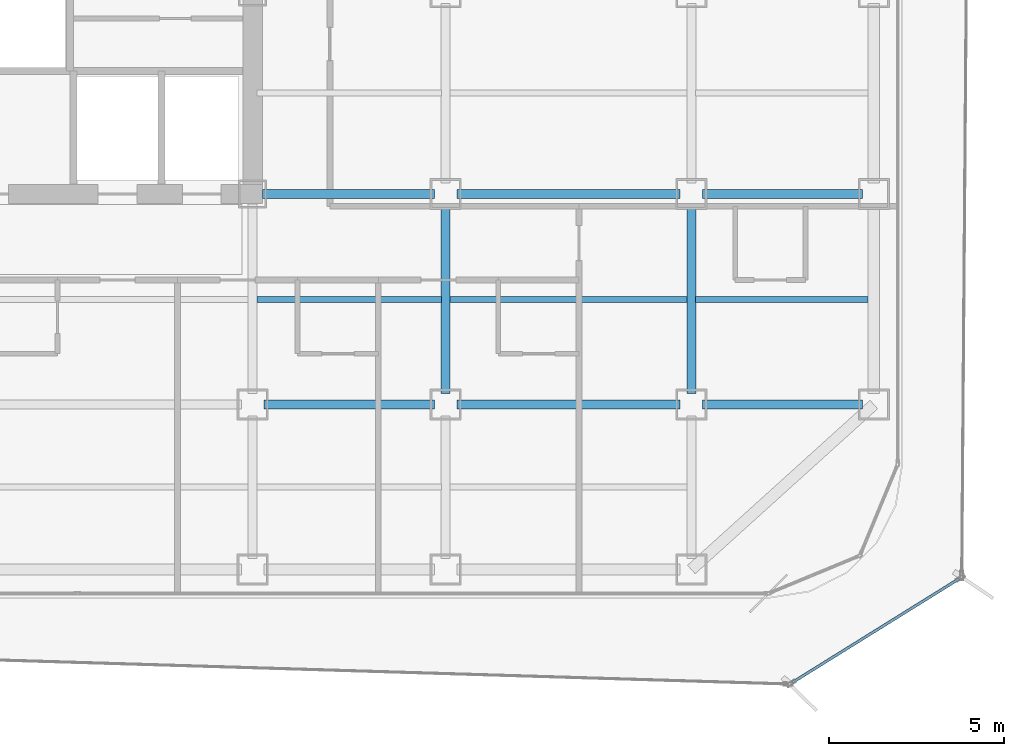
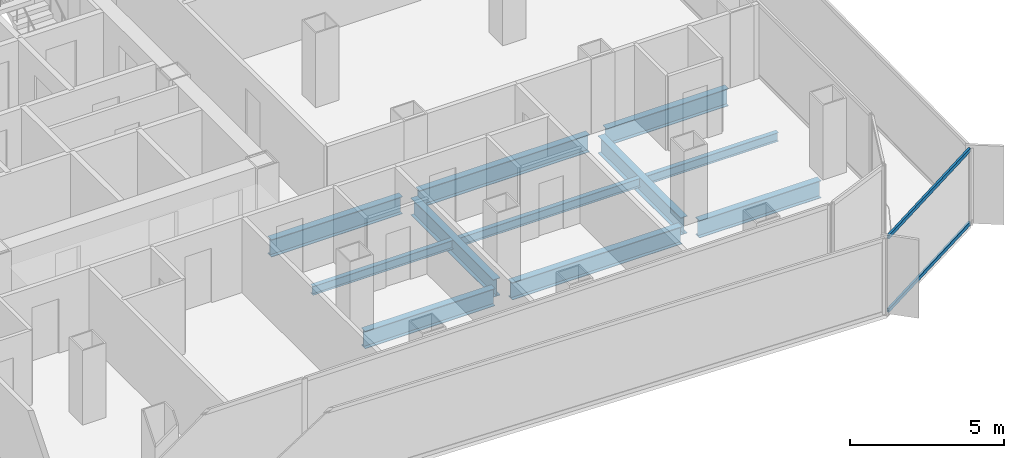
# One storey, part 7 of 21: 11 beams, 2 members, 1 element without a shape of its own.
"""IFC4 building model written with IfcOpenShell, lengths in metres."""

from ifc_helpers import new_model, si_unit, direction, frame, origin, origin_2d, place, context, subcontext, project, spatial, hollow_rectangle, i_section, extrude, source, transform, mapped, material, layer, layer_set, material_profile, profile_set, type_object, element, aggregate, save


model = new_model("IFC4")

# Units and contexts
model_context = context("Model", 3, precision=1e-05, world=origin(), true_north=direction((0.0, 1.0)))
body_context = subcontext(model_context, "Body", "Model", "MODEL_VIEW")
ifc_project = project(units=[si_unit("LENGTHUNIT", "METRE"), si_unit("AREAUNIT", "SQUARE_METRE"), si_unit("VOLUMEUNIT", "CUBIC_METRE"), si_unit("PLANEANGLEUNIT", "RADIAN"), si_unit("MASSUNIT", "GRAM", prefix="KILO")], contexts=[model_context])

# Site, building, storey
site_placement = place(None, origin())
site = spatial("IfcSite", under=ifc_project, at=site_placement, CompositionType="ELEMENT")
building_placement = place(site_placement, origin())
building = spatial("IfcBuilding", under=site, at=building_placement, Name="Kolveth Station Tower", CompositionType="ELEMENT")
storey_placement = place(building_placement, frame((0.0, 0.0, 99.10009765625)))
storey = spatial("IfcBuildingStorey", under=building, at=storey_placement, Name="L26", CompositionType="ELEMENT", Elevation=99.10009765625)

# Beams
ifc_material_1 = material(Name="Steel S355", Category="steel")
ifc_material_profile_1 = material_profile(ifc_material_1, i_section(OverallWidth=0.25390625, OverallDepth=0.68798828125, WebThickness=0.01318359375, FlangeThickness=0.02099609375, at=origin_2d()), Name="W690x152")
ifc_profile_set_1 = profile_set([ifc_material_profile_1], Name="Steel S355")
beam_type_1 = type_object("IfcBeamType", Name="Beam_B4", PredefinedType="BEAM", material=ifc_profile_set_1)
shared_shape_1 = source(origin(), body_context, "Body", "SweptSolid", [
    extrude(i_section(OverallWidth=0.25390625, OverallDepth=0.68798828125, WebThickness=0.01318359375, FlangeThickness=0.02099609375, at=origin_2d()), origin(), (0.0, 0.0, 1.0), 4.559814453125),
])
for number, where, z_axis, x_axis, name in (
    (1, (41.320068359375, 5.5, -0.593994140625), (1.0, 0.0, 0.0), (0.0, 1.0, 0.0), "L26 Primary Girder BM-L26-GY55-7"),
    (2, (41.320068359375, 11.5, -0.593994140625), (1.0, 0.0, 0.0), (0.0, 1.0, 0.0), "L26 Primary Girder BM-L26-GY115-7"),
):
    element("IfcBeam", number, at=place(storey_placement, frame(where, z_axis=z_axis, x_axis=x_axis)), inside=storey, type_object=beam_type_1, Name=name, PredefinedType="BEAM", context=body_context, shape_type="MappedRepresentation", body=[
        mapped(shared_shape_1, transform((0.0, 0.0, 0.0), x_axis=(1.0, 0.0, 0.0), y_axis=(0.0, 1.0, 0.0), z_axis=(0.0, 0.0, 1.0), scale=1.0)),
    ])
shared_shape_2 = source(origin(), body_context, "Body", "SweptSolid", [
    extrude(i_section(OverallWidth=0.25390625, OverallDepth=0.68798828125, WebThickness=0.01318359375, FlangeThickness=0.02099609375, at=origin_2d()), origin(), (0.0, 0.0, 1.0), 6.35986328125),
])
for number, where, z_axis, x_axis, name in (
    (3, (34.320068359375, 5.5, -0.593994140625), (1.0, 0.0, 0.0), (0.0, 1.0, 0.0), "L26 Primary Girder BM-L26-GY55-6"),
    (4, (34.320068359375, 11.5, -0.593994140625), (1.0, 0.0, 0.0), (0.0, 1.0, 0.0), "L26 Primary Girder BM-L26-GY115-6"),
):
    element("IfcBeam", number, at=place(storey_placement, frame(where, z_axis=z_axis, x_axis=x_axis)), inside=storey, type_object=beam_type_1, Name=name, PredefinedType="BEAM", context=body_context, shape_type="MappedRepresentation", body=[
        mapped(shared_shape_2, transform((0.0, 0.0, 0.0), x_axis=(1.0, 0.0, 0.0), y_axis=(0.0, 1.0, 0.0), z_axis=(0.0, 0.0, 1.0), scale=1.0)),
    ])
shared_shape_3 = source(origin(), body_context, "Body", "SweptSolid", [
    extrude(i_section(OverallWidth=0.25390625, OverallDepth=0.68798828125, WebThickness=0.01318359375, FlangeThickness=0.02099609375, at=origin_2d()), origin(), (0.0, 0.0, 1.0), 4.85986328125),
])
beam_1_placement = place(storey_placement, frame((28.820068359375, 5.5, -0.593994140625), z_axis=(1.0, 0.0, 0.0), x_axis=(0.0, 1.0, 0.0)))
element("IfcBeam", 5, at=beam_1_placement, inside=storey, type_object=beam_type_1, Name="L26 Primary Girder BM-L26-GY55-5", PredefinedType="BEAM", context=body_context, shape_type="MappedRepresentation", body=[
    mapped(shared_shape_3, transform((0.0, 0.0, 0.0), x_axis=(1.0, 0.0, 0.0), y_axis=(0.0, 1.0, 0.0), z_axis=(0.0, 0.0, 1.0), scale=1.0)),
])
shared_shape_4 = source(origin(), body_context, "Body", "SweptSolid", [
    extrude(i_section(OverallWidth=0.25390625, OverallDepth=0.68798828125, WebThickness=0.01318359375, FlangeThickness=0.02099609375, at=origin_2d()), origin(), (0.0, 0.0, 1.0), 4.89990234375),
])
beam_2_placement = place(storey_placement, frame((28.780029296875, 11.5, -0.593994140625), z_axis=(1.0, 0.0, 0.0), x_axis=(0.0, 1.0, 0.0)))
element("IfcBeam", 6, at=beam_2_placement, inside=storey, type_object=beam_type_1, Name="L26 Primary Girder BM-L26-GY115-5", PredefinedType="BEAM", context=body_context, shape_type="MappedRepresentation", body=[
    mapped(shared_shape_4, transform((0.0, 0.0, 0.0), x_axis=(1.0, 0.0, 0.0), y_axis=(0.0, 1.0, 0.0), z_axis=(0.0, 0.0, 1.0), scale=1.0)),
])
shared_shape_5 = source(origin(), body_context, "Body", "SweptSolid", [
    extrude(i_section(OverallWidth=0.25390625, OverallDepth=0.68798828125, WebThickness=0.01318359375, FlangeThickness=0.02099609375, at=origin_2d()), origin(), (0.0, 0.0, 1.0), 5.35986328125),
])
for number, where, z_axis, x_axis, name in (
    (7, (34.0, 5.820068359375, -0.593994140625), (0.0, 1.0, 0.0), (-1.0, 0.0, 0.0), "L26 Primary Girder BM-L26-GX340-2"),
    (8, (41.0, 5.820068359375, -0.593994140625), (0.0, 1.0, 0.0), (-1.0, 0.0, 0.0), "L26 Primary Girder BM-L26-GX410-2"),
):
    element("IfcBeam", number, at=place(storey_placement, frame(where, z_axis=z_axis, x_axis=x_axis)), inside=storey, type_object=beam_type_1, Name=name, PredefinedType="BEAM", context=body_context, shape_type="MappedRepresentation", body=[
        mapped(shared_shape_5, transform((0.0, 0.0, 0.0), x_axis=(1.0, 0.0, 0.0), y_axis=(0.0, 1.0, 0.0), z_axis=(0.0, 0.0, 1.0), scale=1.0)),
    ])
ifc_material_profile_2 = material_profile(ifc_material_1, i_section(OverallWidth=0.1708984375, OverallDepth=0.35205078125, WebThickness=0.0068359375, FlangeThickness=0.009765625, at=origin_2d()), Name="W360x44")
ifc_profile_set_2 = profile_set([ifc_material_profile_2], Name="Steel S355")
beam_type_2 = type_object("IfcBeamType", Name="Beam_J2", PredefinedType="JOIST", material=ifc_profile_set_2)
shared_shape_6 = source(origin(), body_context, "Body", "SweptSolid", [
    extrude(i_section(OverallWidth=0.1708984375, OverallDepth=0.35205078125, WebThickness=0.0068359375, FlangeThickness=0.009765625, at=origin_2d()), origin(), (0.0, 0.0, 1.0), 4.9150390625),
])
beam_3_placement = place(storey_placement, frame((41.125, 8.5, -0.426025390625), z_axis=(1.0, 0.0, 0.0), x_axis=(0.0, 1.0, 0.0)))
element("IfcBeam", 9, at=beam_3_placement, inside=storey, type_object=beam_type_2, Name="L26 Secondary Joist JST-L26-7-2", PredefinedType="JOIST", context=body_context, shape_type="MappedRepresentation", body=[
    mapped(shared_shape_6, transform((0.0, 0.0, 0.0), x_axis=(1.0, 0.0, 0.0), y_axis=(0.0, 1.0, 0.0), z_axis=(0.0, 0.0, 1.0), scale=1.0)),
])
shared_shape_7 = source(origin(), body_context, "Body", "SweptSolid", [
    extrude(i_section(OverallWidth=0.1708984375, OverallDepth=0.35205078125, WebThickness=0.0068359375, FlangeThickness=0.009765625, at=origin_2d()), origin(), (0.0, 0.0, 1.0), 6.75),
])
beam_4_placement = place(storey_placement, frame((34.125, 8.5, -0.426025390625), z_axis=(1.0, 0.0, 0.0), x_axis=(0.0, 1.0, 0.0)))
element("IfcBeam", 10, at=beam_4_placement, inside=storey, type_object=beam_type_2, Name="L26 Secondary Joist JST-L26-6-2", PredefinedType="JOIST", context=body_context, shape_type="MappedRepresentation", body=[
    mapped(shared_shape_7, transform((0.0, 0.0, 0.0), x_axis=(1.0, 0.0, 0.0), y_axis=(0.0, 1.0, 0.0), z_axis=(0.0, 0.0, 1.0), scale=1.0)),
])
shared_shape_8 = source(origin(), body_context, "Body", "SweptSolid", [
    extrude(i_section(OverallWidth=0.1708984375, OverallDepth=0.35205078125, WebThickness=0.0068359375, FlangeThickness=0.009765625, at=origin_2d()), origin(), (0.0, 0.0, 1.0), 5.25),
])
beam_5_placement = place(storey_placement, frame((28.625, 8.5, -0.426025390625), z_axis=(1.0, 0.0, 0.0), x_axis=(0.0, 1.0, 0.0)))
element("IfcBeam", 11, at=beam_5_placement, inside=storey, type_object=beam_type_2, Name="L26 Secondary Joist JST-L26-5-2", PredefinedType="JOIST", context=body_context, shape_type="MappedRepresentation", body=[
    mapped(shared_shape_8, transform((0.0, 0.0, 0.0), x_axis=(1.0, 0.0, 0.0), y_axis=(0.0, 1.0, 0.0), z_axis=(0.0, 0.0, 1.0), scale=1.0)),
])

# Curtain wall, members
ifc_material_2 = material(Name="Black anodized aluminium 6063-T6 and dark solar glass", Category="aluminium")
ifc_layer = layer(ifc_material_2, 0.159912109375)
ifc_layer_set = layer_set([ifc_layer], Name="Black anodized aluminium 6063-T6 and dark solar glass")
curtain_wall_type = type_object("IfcCurtainWallType", Name="OUTER SKIN CW-OS", PredefinedType="NOTDEFINED", material=ifc_layer_set)
curtain_wall_placement = place(storey_placement, origin())
curtain_wall = element("IfcCurtainWall", 12, at=curtain_wall_placement, inside=storey, type_object=curtain_wall_type, Name="L26 Outer Ventilated Skin Curtain Wall 1", PredefinedType="NOTDEFINED")
ifc_material_3 = material(Name="Black anodized aluminium 6063-T6", Category="aluminium")
ifc_material_profile_3 = material_profile(ifc_material_3, hollow_rectangle(XDim=0.080078125, YDim=0.14990234375, WallThickness=0.0048828125, at=origin_2d()), Name="ALU-80x150x5")
ifc_profile_set_3 = profile_set([ifc_material_profile_3], Name="Black anodized aluminium 6063-T6")
member_type = type_object("IfcMemberType", Name="Transom_TR-OS", PredefinedType="USERDEFINED", material=ifc_profile_set_3)
shared_shape_9 = source(origin(), body_context, "Body", "SweptSolid", [
    extrude(hollow_rectangle(XDim=0.080078125, YDim=0.14990234375, WallThickness=0.0048828125, at=origin_2d()), origin(), (0.0, 0.0, 1.0), 5.59521484375),
])
member_1_placement = place(storey_placement, frame((43.879150390625, -2.419189453125, 0.039794921875), z_axis=(0.849155754941, 0.528142503356, 0.0), x_axis=(-0.528142503356, 0.849155754941, 0.0)))
member_1 = element("IfcMember", 13, at=member_1_placement, type_object=member_type, Name="CW-OS transom 1.1", ObjectType="TRANSOM", PredefinedType="USERDEFINED", context=body_context, shape_type="MappedRepresentation", body=[
    mapped(shared_shape_9, transform((0.0, 0.0, 0.0), x_axis=(1.0, 0.0, 0.0), y_axis=(0.0, 1.0, 0.0), z_axis=(0.0, 0.0, 1.0), scale=1.0)),
])
member_2_placement = place(storey_placement, frame((43.879150390625, -2.419189453125, 2.949951171875), z_axis=(0.849155754941, 0.528142503356, 0.0), x_axis=(-0.528142503356, 0.849155754941, 0.0)))
member_2 = element("IfcMember", 14, at=member_2_placement, type_object=member_type, Name="CW-OS transom 1.2", ObjectType="TRANSOM", PredefinedType="USERDEFINED", context=body_context, shape_type="MappedRepresentation", body=[
    mapped(shared_shape_9, transform((0.0, 0.0, 0.0), x_axis=(1.0, 0.0, 0.0), y_axis=(0.0, 1.0, 0.0), z_axis=(0.0, 0.0, 1.0), scale=1.0)),
])
aggregate(curtain_wall, [member_1, member_2])

save(model, "model.ifc")
